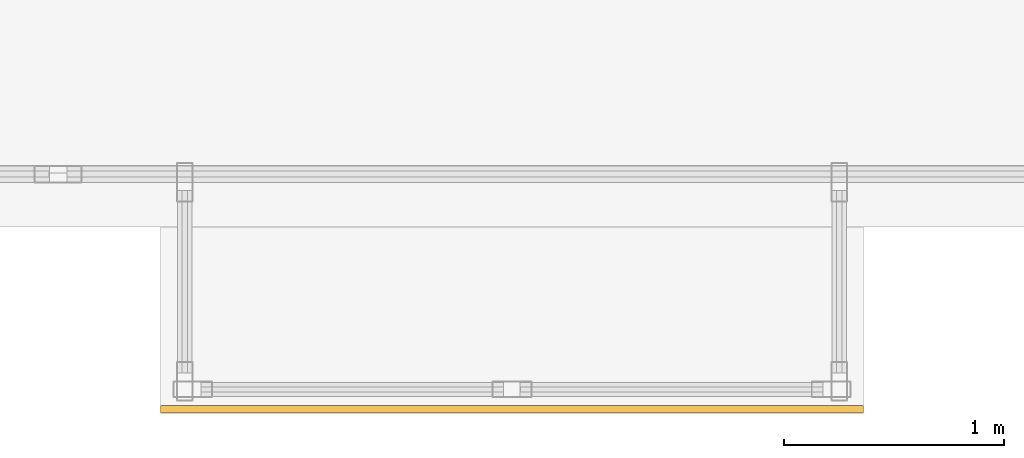
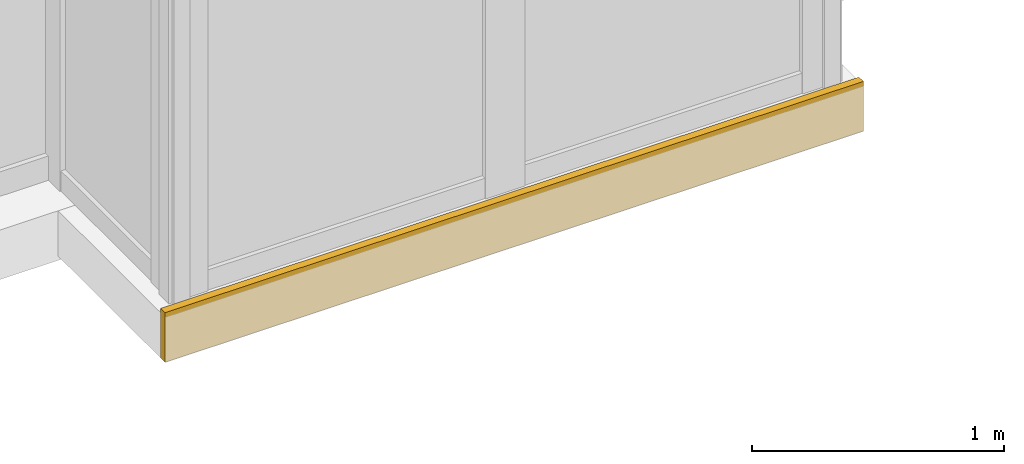
# One storey, part 23 of 24: 1 covering.
"""IFC4 building model written with IfcOpenShell, lengths in metres."""

from ifc_helpers import new_model, si_unit, direction, frame, origin, origin_2d, place, context, subcontext, project, spatial, rectangle, extrude, material, layer, layer_set, type_object, element, save


model = new_model("IFC4")

# Units and contexts
model_context = context("Model", 3, precision=1e-05, world=origin(), true_north=direction((0.0, 1.0)))
body_context = subcontext(model_context, "Body", "Model", "MODEL_VIEW")
ifc_project = project(units=[si_unit("LENGTHUNIT", "METRE"), si_unit("AREAUNIT", "SQUARE_METRE"), si_unit("VOLUMEUNIT", "CUBIC_METRE"), si_unit("PLANEANGLEUNIT", "RADIAN"), si_unit("MASSUNIT", "GRAM", prefix="KILO")], contexts=[model_context])

# Site, building, storey
site_placement = place(None, origin())
site = spatial("IfcSite", under=ifc_project, at=site_placement, CompositionType="ELEMENT")
building_placement = place(site_placement, origin())
building = spatial("IfcBuilding", under=site, at=building_placement, Name="Kolvaren Waterfront Exchange", CompositionType="ELEMENT")
storey_placement = place(building_placement, frame((0.0, 0.0, 253.89990234375)))
storey = spatial("IfcBuildingStorey", under=building, at=storey_placement, Name="L65", CompositionType="ELEMENT", Elevation=253.89990234375)

# Covering
ifc_material = material(Name="Anodised bronze fascia aluminium", Category="aluminium")
ifc_layer = layer(ifc_material, 0.034912109375, Name="Anodised bronze fascia aluminium")
ifc_layer_set = layer_set([ifc_layer], Name="Anodised bronze fascia aluminium")
covering_type = type_object("IfcCoveringType", Name="ARC-CLAD-BRONZE-35", PredefinedType="CLADDING", material=ifc_layer_set)
covering_placement = place(storey_placement, frame((36.300048828125, 2.77001953125, -0.2197265625), z_axis=(0.0, 0.0, 1.0), x_axis=(1.0, 0.0, 0.0)))
element("IfcCovering", 1, at=covering_placement, inside=storey, type_object=covering_type, Name="L65 ribbed anodised bronze bay-box fascia", PredefinedType="CLADDING", context=body_context, shape_type="SweptSolid", body=[
    extrude(rectangle(XDim=3.199951171875, YDim=0.034912109375, at=origin_2d()), origin(), (0.0, 0.0, 1.0), 0.239990234375),
])

save(model, "model.ifc")
